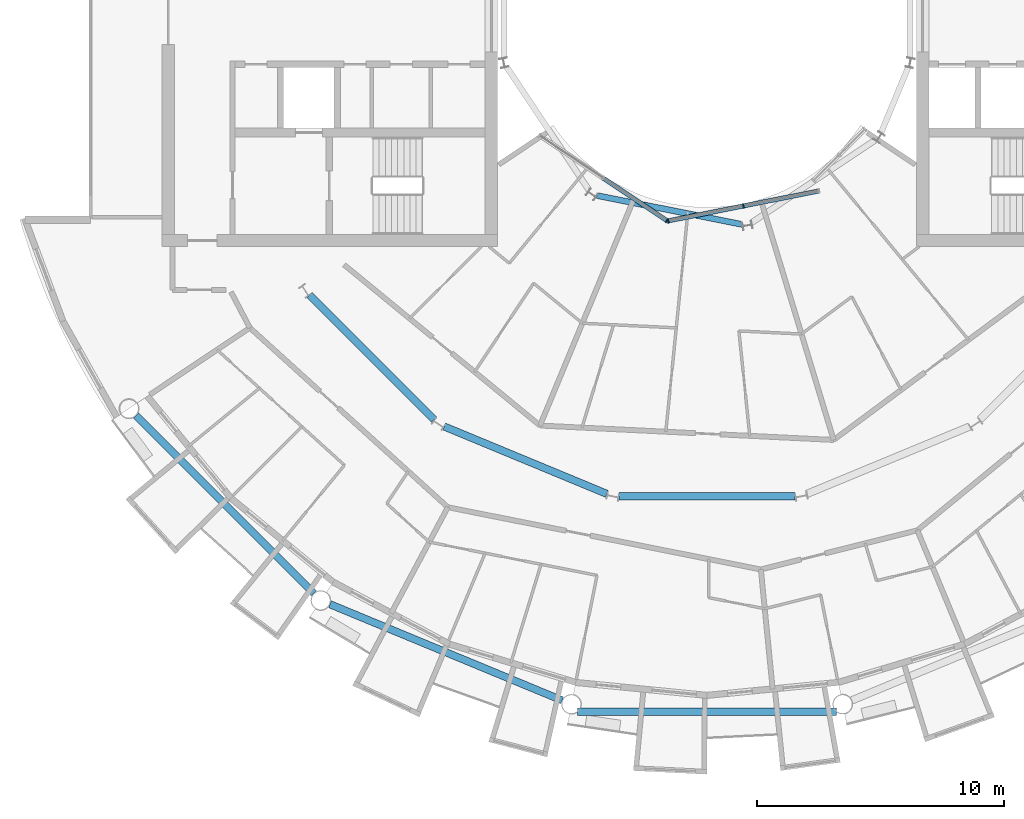
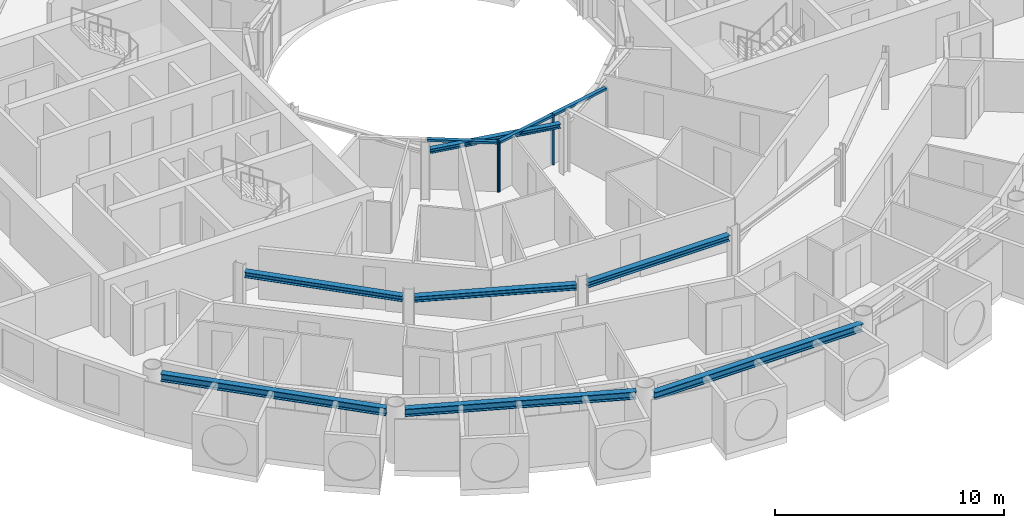
# One storey, part 5 of 26: 7 beams, 6 members, 2 elements without a shape of their own.
"""IFC4 building model written with IfcOpenShell, lengths in metres."""

from ifc_helpers import new_model, si_unit, direction, frame, origin, origin_2d, place, context, subcontext, project, spatial, rectangle, i_section, extrude, material, layer, layer_set, material_profile, profile_set, type_object, element, aggregate, save


model = new_model("IFC4")

# Units and contexts
model_context = context("Model", 3, precision=1e-05, world=origin(), true_north=direction((0.0, 1.0)))
body_context = subcontext(model_context, "Body", "Model", "MODEL_VIEW")
ifc_project = project(units=[si_unit("LENGTHUNIT", "METRE"), si_unit("AREAUNIT", "SQUARE_METRE"), si_unit("VOLUMEUNIT", "CUBIC_METRE"), si_unit("PLANEANGLEUNIT", "RADIAN"), si_unit("MASSUNIT", "GRAM", prefix="KILO")], contexts=[model_context])

# Site, building, storey
site_placement = place(None, origin())
site = spatial("IfcSite", under=ifc_project, at=site_placement, CompositionType="ELEMENT")
building_placement = place(site_placement, origin())
building = spatial("IfcBuilding", under=site, at=building_placement, Name="Maasbend Ring Residences", CompositionType="ELEMENT")
storey_placement = place(building_placement, frame((0.0, 0.0, 154.35009765625)))
storey = spatial("IfcBuildingStorey", under=building, at=storey_placement, Name="L44", CompositionType="ELEMENT", Elevation=154.35009765625)

# Curtain wall, member
ifc_material_1 = material(Name="Aluminium and clear glass", Category="aluminium")
ifc_layer = layer(ifc_material_1, 0.179931640625)
ifc_layer_set = layer_set([ifc_layer], Name="CW-W")
curtain_wall_type = type_object("IfcCurtainWallType", Name="CW-W", PredefinedType="NOTDEFINED", material=ifc_layer_set)
curtain_wall_1_placement = place(storey_placement, origin())
curtain_wall_1 = element("IfcCurtainWall", 1, at=curtain_wall_1_placement, inside=storey, type_object=curtain_wall_type, Name="Well curtain wall S1", PredefinedType="NOTDEFINED")
ifc_material_2 = material(Name="Aluminium 6063-T6", Category="aluminium")
ifc_material_profile_1 = material_profile(ifc_material_2, rectangle(XDim=0.179931640625, YDim=0.06005859375, at=origin_2d()), Name="AL 180x60")
ifc_profile_set_1 = profile_set([ifc_material_profile_1], Name="Aluminium 6063-T6")
member_type_1 = type_object("IfcMemberType", Name="CWM-W", PredefinedType="MULLION", material=ifc_profile_set_1)
member_1_placement = place(storey_placement, frame((-1.627685546875, -8.040771484375, 0.0), z_axis=(0.0, 0.0, 1.0), x_axis=(0.55557023302, 0.831469612303, 0.0)))
member_1 = element("IfcMember", 2, at=member_1_placement, type_object=member_type_1, Name="Mullion well face", PredefinedType="MULLION", context=body_context, shape_type="SweptSolid", body=[
    extrude(rectangle(XDim=0.179931640625, YDim=0.06005859375, at=origin_2d()), origin(), (0.0, 0.0, 1.0), 2.699951171875),
])

# Curtain wall, members
curtain_wall_2_placement = place(storey_placement, origin())
curtain_wall_2 = element("IfcCurtainWall", 3, at=curtain_wall_2_placement, inside=storey, type_object=curtain_wall_type, Name="Well curtain wall S2", PredefinedType="NOTDEFINED")
member_2_placement = place(storey_placement, frame((-1.5732421875, -8.0517578125, 0.0), z_axis=(0.0, 0.0, 1.0), x_axis=(-0.195090322016, 0.980785280403, 0.0)))
member_2 = element("IfcMember", 4, at=member_2_placement, type_object=member_type_1, Name="Mullion well face", PredefinedType="MULLION", context=body_context, shape_type="SweptSolid", body=[
    extrude(rectangle(XDim=0.179931640625, YDim=0.06005859375, at=origin_2d()), origin(), (0.0, 0.0, 1.0), 2.699951171875),
])
member_3_placement = place(storey_placement, frame((1.480712890625, -7.444091796875, 0.0), z_axis=(0.0, 0.0, 1.0), x_axis=(-0.195090322016, 0.980785280403, 0.0)))
member_3 = element("IfcMember", 5, at=member_3_placement, type_object=member_type_1, Name="Mullion well face", PredefinedType="MULLION", context=body_context, shape_type="SweptSolid", body=[
    extrude(rectangle(XDim=0.179931640625, YDim=0.06005859375, at=origin_2d()), origin(), (0.0, 0.0, 1.0), 2.699951171875),
])

# Member
ifc_material_3 = material(Name="Aluminium 6063-T6", Category="aluminium")
ifc_material_profile_2 = material_profile(ifc_material_3, rectangle(XDim=0.179931640625, YDim=0.1201171875, at=origin_2d()), Name="AL 180x120")
ifc_profile_set_2 = profile_set([ifc_material_profile_2], Name="Aluminium 6063-T6")
member_type_2 = type_object("IfcMemberType", Name="CWT-W", PredefinedType="USERDEFINED", material=ifc_profile_set_2)
member_4_placement = place(storey_placement, frame((-4.19189453125, -6.32763671875, 2.639892578125), z_axis=(0.831496422459, -0.555530106689, 0.0), x_axis=(0.555530106689, 0.831496422459, 0.0)))
member_4 = element("IfcMember", 6, at=member_4_placement, type_object=member_type_2, Name="Transom well face", ObjectType="TRANSOM", PredefinedType="USERDEFINED", context=body_context, shape_type="SweptSolid", body=[
    extrude(rectangle(XDim=0.179931640625, YDim=0.1201171875, at=origin_2d()), origin(), (0.0, 0.0, 1.0), 3.053955078125),
])

aggregate(curtain_wall_1, [member_1, member_4])

member_5_placement = place(storey_placement, frame((-1.5439453125, -8.0458984375, 2.639892578125), z_axis=(0.980776956105, 0.195132166424, 0.0), x_axis=(-0.195132166424, 0.980776956105, 0.0)))
member_5 = element("IfcMember", 7, at=member_5_placement, type_object=member_type_2, Name="Transom well face", ObjectType="TRANSOM", PredefinedType="USERDEFINED", context=body_context, shape_type="SweptSolid", body=[
    extrude(rectangle(XDim=0.179931640625, YDim=0.1201171875, at=origin_2d()), origin(), (0.0, 0.0, 1.0), 3.053955078125),
])

member_6_placement = place(storey_placement, frame((1.51025390625, -7.438232421875, 2.639892578125), z_axis=(0.980789210404, 0.19507056353, 0.0), x_axis=(-0.19507056353, 0.980789210404, 0.0)))
member_6 = element("IfcMember", 8, at=member_6_placement, type_object=member_type_2, Name="Transom well face", ObjectType="TRANSOM", PredefinedType="USERDEFINED", context=body_context, shape_type="SweptSolid", body=[
    extrude(rectangle(XDim=0.179931640625, YDim=0.1201171875, at=origin_2d()), origin(), (0.0, 0.0, 1.0), 3.0537109375),
])

aggregate(curtain_wall_2, [member_2, member_3, member_5, member_6])

# Beams
ifc_material_4 = material(Name="Steel S355J2", Category="steel")
ifc_material_profile_3 = material_profile(ifc_material_4, i_section(OverallWidth=0.300048828125, OverallDepth=0.2900390625, WebThickness=0.008544921875, FlangeThickness=0.013916015625, FilletRadius=0.027099609375, at=origin_2d()), Name="HEA 300")
ifc_profile_set_3 = profile_set([ifc_material_profile_3], Name="Steel S355J2")
beam_type_1 = type_object("IfcBeamType", Name="Corridor ring beam HEA 300", PredefinedType="BEAM", material=ifc_profile_set_3)
for number, where, z_axis, x_axis, name in (
    (9, (-16.11669921875, -11.0693359375, 2.554931640625), (0.707106781187, -0.707106781187, 0.0), (0.707106781187, 0.707106781187, 0.0), "Corridor ring beam"),
    (10, (-10.65380859375, -16.394287109375, 2.554931640625), (0.923871339849, -0.382703210602, 0.0), (0.382703210602, 0.923871339849, 0.0), "Corridor ring beam"),
):
    element("IfcBeam", number, at=place(storey_placement, frame(where, z_axis=z_axis, x_axis=x_axis)), inside=storey, type_object=beam_type_1, Name=name, PredefinedType="BEAM", context=body_context, shape_type="SweptSolid", body=[
        extrude(i_section(OverallWidth=0.300048828125, OverallDepth=0.2900390625, WebThickness=0.008544921875, FlangeThickness=0.013916015625, FilletRadius=0.027099609375, at=origin_2d()), origin(), (0.0, 0.0, 1.0), 7.137939453125),
    ])
beam_1_placement = place(storey_placement, frame((-3.56884765625, -19.223388671875, 2.554931640625), z_axis=(1.0, 0.0, 0.0), x_axis=(0.0, 1.0, 0.0)))
element("IfcBeam", 11, at=beam_1_placement, inside=storey, type_object=beam_type_1, Name="Corridor ring beam", PredefinedType="BEAM", context=body_context, shape_type="SweptSolid", body=[
    extrude(i_section(OverallWidth=0.300048828125, OverallDepth=0.2900390625, WebThickness=0.008544921875, FlangeThickness=0.013916015625, FilletRadius=0.027099609375, at=origin_2d()), origin(), (0.0, 0.0, 1.0), 7.1376953125),
])
ifc_material_5 = material(Name="Steel S355J2", Category="steel")
ifc_material_profile_4 = material_profile(ifc_material_5, i_section(OverallWidth=0.300048828125, OverallDepth=0.39990234375, WebThickness=0.013427734375, FlangeThickness=0.02392578125, FilletRadius=0.027099609375, at=origin_2d()), Name="HEB 400")
ifc_profile_set_4 = profile_set([ifc_material_profile_4], Name="Steel S355J2")
beam_type_2 = type_object("IfcBeamType", Name="Spandrel ring beam HEB 400", PredefinedType="SPANDREL", material=ifc_profile_set_4)
for number, where, z_axis, x_axis, name in (
    (12, (-23.159912109375, -15.95458984375, 2.5), (0.707106781187, -0.707106781187, 0.0), (0.707106781187, 0.707106781187, 0.0), "Spandrel ring beam"),
    (13, (-15.29150390625, -23.60302734375, 2.5), (0.923883676188, -0.382673428492, 0.0), (0.382673428492, 0.923883676188, 0.0), "Spandrel ring beam"),
):
    element("IfcBeam", number, at=place(storey_placement, frame(where, z_axis=z_axis, x_axis=x_axis)), inside=storey, type_object=beam_type_2, Name=name, PredefinedType="SPANDREL", context=body_context, shape_type="SweptSolid", body=[
        extrude(i_section(OverallWidth=0.300048828125, OverallDepth=0.39990234375, WebThickness=0.013427734375, FlangeThickness=0.02392578125, FilletRadius=0.027099609375, at=origin_2d()), origin(), (0.0, 0.0, 1.0), 10.18994140625),
    ])
beam_2_placement = place(storey_placement, frame((-5.2451171875, -27.9580078125, 2.5), z_axis=(1.0, 0.0, 0.0), x_axis=(0.0, 1.0, 0.0)))
element("IfcBeam", 14, at=beam_2_placement, inside=storey, type_object=beam_type_2, Name="Spandrel ring beam", PredefinedType="SPANDREL", context=body_context, shape_type="SweptSolid", body=[
    extrude(i_section(OverallWidth=0.300048828125, OverallDepth=0.39990234375, WebThickness=0.013427734375, FlangeThickness=0.02392578125, FilletRadius=0.027099609375, at=origin_2d()), origin(), (0.0, 0.0, 1.0), 10.490234375),
])
ifc_material_6 = material(Name="Steel S355J2", Category="steel")
ifc_material_profile_5 = material_profile(ifc_material_6, i_section(OverallWidth=0.239990234375, OverallDepth=0.22998046875, WebThickness=0.007568359375, FlangeThickness=0.011962890625, FilletRadius=0.02099609375, at=origin_2d()), Name="HEA 240")
ifc_profile_set_5 = profile_set([ifc_material_profile_5], Name="Steel S355J2")
beam_type_3 = type_object("IfcBeamType", Name="Well edge beam HEA 240", PredefinedType="BEAM", material=ifc_profile_set_5)
beam_3_placement = place(storey_placement, frame((-4.459716796875, -7.025390625, 2.5849609375), z_axis=(0.980778695042, -0.195123425945, 0.0), x_axis=(0.195123425945, 0.980778695042, 0.0)))
element("IfcBeam", 15, at=beam_3_placement, inside=storey, type_object=beam_type_3, Name="Well edge beam", PredefinedType="BEAM", context=body_context, shape_type="SweptSolid", body=[
    extrude(i_section(OverallWidth=0.239990234375, OverallDepth=0.22998046875, WebThickness=0.007568359375, FlangeThickness=0.011962890625, FilletRadius=0.02099609375, at=origin_2d()), origin(), (0.0, 0.0, 1.0), 6.007080078125),
])

save(model, "model.ifc")
